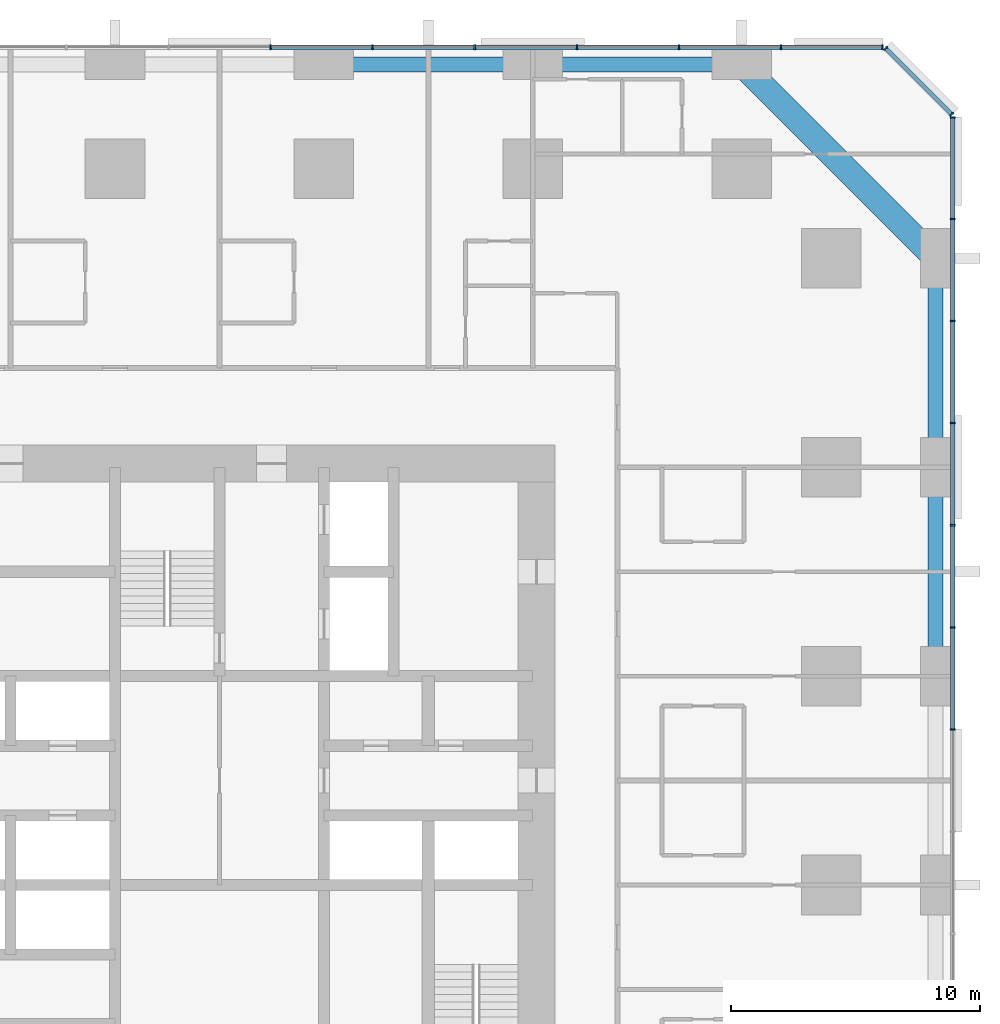
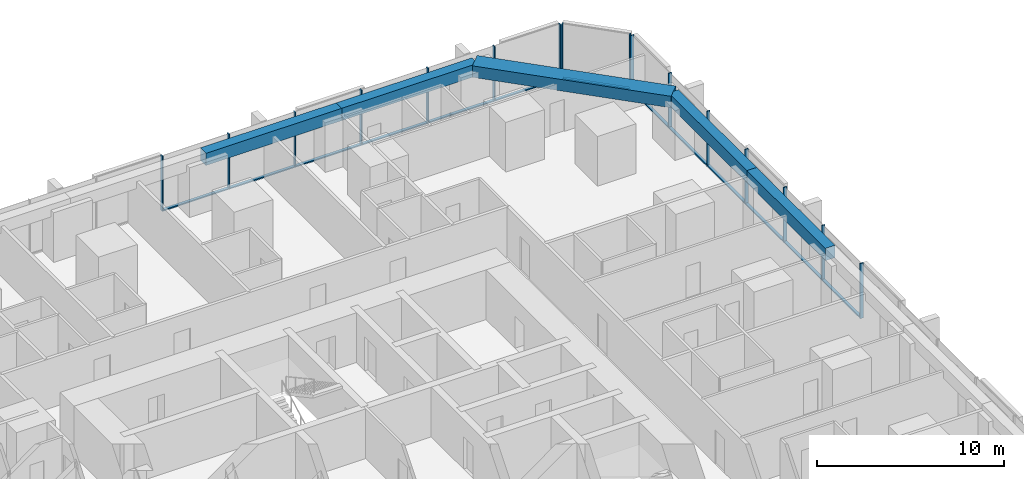
# One storey, part 8 of 17: 29 members, 5 beams, 3 elements without a shape of their own.
"""IFC4 building model written with IfcOpenShell, lengths in metres."""

from ifc_helpers import new_model, si_unit, direction, frame, origin, origin_2d, place, context, subcontext, project, spatial, rectangle, extrude, material, material_profile, profile_set, type_object, element, aggregate, save


model = new_model("IFC4")

# Units and contexts
model_context = context("Model", 3, precision=1e-05, world=origin(), true_north=direction((0.0, 1.0)))
body_context = subcontext(model_context, "Body", "Model", "MODEL_VIEW")
ifc_project = project(units=[si_unit("LENGTHUNIT", "METRE"), si_unit("AREAUNIT", "SQUARE_METRE"), si_unit("VOLUMEUNIT", "CUBIC_METRE"), si_unit("PLANEANGLEUNIT", "RADIAN"), si_unit("MASSUNIT", "GRAM", prefix="KILO")], contexts=[model_context])

# Site, building, storey
site_placement = place(None, origin())
site = spatial("IfcSite", under=ifc_project, at=site_placement, CompositionType="ELEMENT")
building_placement = place(site_placement, origin())
building = spatial("IfcBuilding", under=site, at=building_placement, Name="Dunama Terrace Hotel", CompositionType="ELEMENT")
storey_placement = place(building_placement, frame((0.0, 0.0, 81.0)))
storey = spatial("IfcBuildingStorey", under=building, at=storey_placement, Name="L20", CompositionType="ELEMENT", Elevation=81.0)

# Curtain wall, members
ifc_material_1 = material(Name="Aluminium curtain wall system", Category="aluminium")
curtain_wall_type = type_object("IfcCurtainWallType", Name="Unitised fritted glass wall CW-A", PredefinedType="NOTDEFINED", material=ifc_material_1)
curtain_wall_1_placement = place(storey_placement, origin())
curtain_wall_1 = element("IfcCurtainWall", 1, at=curtain_wall_1_placement, inside=storey, type_object=curtain_wall_type, Name="Unitised fritted glass wall CW-A L20", PredefinedType="NOTDEFINED")
ifc_material_2 = material(Name="Aluminium mullion", Category="aluminium")
ifc_material_profile_1 = material_profile(ifc_material_2, rectangle(XDim=0.06494140625, YDim=0.199951171875, at=origin_2d()), Name="CWA MULLION 65X200")
ifc_profile_set_1 = profile_set([ifc_material_profile_1], Name="Aluminium mullion")
member_type_1 = type_object("IfcMemberType", Name="CWA mullion 65x200", PredefinedType="MULLION", material=ifc_profile_set_1)
member_1_placement = place(storey_placement, frame((58.89990234375, 31.4541015625, 0.0), z_axis=(0.0, 0.0, 1.0), x_axis=(0.0, 1.0, 0.0)))
member_1 = element("IfcMember", 2, at=member_1_placement, type_object=member_type_1, Name="CWA mullion", PredefinedType="MULLION", context=body_context, shape_type="SweptSolid", body=[
    extrude(rectangle(XDim=0.06494140625, YDim=0.199951171875, at=origin_2d()), origin(), (0.0, 0.0, 1.0), 3.60009765625),
])
member_2_placement = place(storey_placement, frame((58.89990234375, 35.56201171875, 0.0), z_axis=(0.0, 0.0, 1.0), x_axis=(0.0, 1.0, 0.0)))
member_2 = element("IfcMember", 3, at=member_2_placement, type_object=member_type_1, Name="CWA mullion", PredefinedType="MULLION", context=body_context, shape_type="SweptSolid", body=[
    extrude(rectangle(XDim=0.06494140625, YDim=0.199951171875, at=origin_2d()), origin(), (0.0, 0.0, 1.0), 3.60009765625),
])
member_3_placement = place(storey_placement, frame((58.89990234375, 39.6689453125, 0.0), z_axis=(0.0, 0.0, 1.0), x_axis=(0.0, 1.0, 0.0)))
member_3 = element("IfcMember", 4, at=member_3_placement, type_object=member_type_1, Name="CWA mullion", PredefinedType="MULLION", context=body_context, shape_type="SweptSolid", body=[
    extrude(rectangle(XDim=0.06494140625, YDim=0.199951171875, at=origin_2d()), origin(), (0.0, 0.0, 1.0), 3.60009765625),
])
member_4_placement = place(storey_placement, frame((58.89990234375, 43.777099609375, 0.0), z_axis=(0.0, 0.0, 1.0), x_axis=(0.0, 1.0, 0.0)))
member_4 = element("IfcMember", 5, at=member_4_placement, type_object=member_type_1, Name="CWA mullion", PredefinedType="MULLION", context=body_context, shape_type="SweptSolid", body=[
    extrude(rectangle(XDim=0.06494140625, YDim=0.199951171875, at=origin_2d()), origin(), (0.0, 0.0, 1.0), 3.60009765625),
])
member_5_placement = place(storey_placement, frame((58.89990234375, 47.885009765625, 0.0), z_axis=(0.0, 0.0, 1.0), x_axis=(0.0, 1.0, 0.0)))
member_5 = element("IfcMember", 6, at=member_5_placement, type_object=member_type_1, Name="CWA mullion", PredefinedType="MULLION", context=body_context, shape_type="SweptSolid", body=[
    extrude(rectangle(XDim=0.06494140625, YDim=0.199951171875, at=origin_2d()), origin(), (0.0, 0.0, 1.0), 3.60009765625),
])
member_6_placement = place(storey_placement, frame((58.89990234375, 51.991943359375, 0.0), z_axis=(0.0, 0.0, 1.0), x_axis=(0.0, 1.0, 0.0)))
member_6 = element("IfcMember", 7, at=member_6_placement, type_object=member_type_1, Name="CWA mullion", PredefinedType="MULLION", context=body_context, shape_type="SweptSolid", body=[
    extrude(rectangle(XDim=0.06494140625, YDim=0.199951171875, at=origin_2d()), origin(), (0.0, 0.0, 1.0), 3.60009765625),
])
member_7_placement = place(storey_placement, frame((58.89990234375, 56.06689453125, 0.0), z_axis=(0.0, 0.0, 1.0), x_axis=(0.0, 1.0, 0.0)))
member_7 = element("IfcMember", 8, at=member_7_placement, type_object=member_type_1, Name="CWA mullion", PredefinedType="MULLION", context=body_context, shape_type="SweptSolid", body=[
    extrude(rectangle(XDim=0.06494140625, YDim=0.199951171875, at=origin_2d()), origin(), (0.0, 0.0, 1.0), 3.60009765625),
])

curtain_wall_2_placement = place(storey_placement, origin())
curtain_wall_2 = element("IfcCurtainWall", 9, at=curtain_wall_2_placement, inside=storey, type_object=curtain_wall_type, Name="Unitised fritted glass wall CW-A L20", PredefinedType="NOTDEFINED")
member_8_placement = place(storey_placement, frame((58.847900390625, 56.194091796875, 0.0), z_axis=(0.0, 0.0, 1.0), x_axis=(-0.707106781187, 0.707106781187, 0.0)))
member_8 = element("IfcMember", 10, at=member_8_placement, type_object=member_type_1, Name="CWA mullion", PredefinedType="MULLION", context=body_context, shape_type="SweptSolid", body=[
    extrude(rectangle(XDim=0.06494140625, YDim=0.199951171875, at=origin_2d()), origin(), (0.0, 0.0, 1.0), 3.60009765625),
])
member_9_placement = place(storey_placement, frame((56.194091796875, 58.847900390625, 0.0), z_axis=(0.0, 0.0, 1.0), x_axis=(-0.707106781187, 0.707106781187, 0.0)))
member_9 = element("IfcMember", 11, at=member_9_placement, type_object=member_type_1, Name="CWA mullion", PredefinedType="MULLION", context=body_context, shape_type="SweptSolid", body=[
    extrude(rectangle(XDim=0.06494140625, YDim=0.199951171875, at=origin_2d()), origin(), (0.0, 0.0, 1.0), 3.60009765625),
])

curtain_wall_3_placement = place(storey_placement, origin())
curtain_wall_3 = element("IfcCurtainWall", 12, at=curtain_wall_3_placement, inside=storey, type_object=curtain_wall_type, Name="Unitised fritted glass wall CW-A L20", PredefinedType="NOTDEFINED")
member_10_placement = place(storey_placement, frame((56.06689453125, 58.89990234375, 0.0), z_axis=(0.0, 0.0, 1.0), x_axis=(-1.0, 0.0, 0.0)))
member_10 = element("IfcMember", 13, at=member_10_placement, type_object=member_type_1, Name="CWA mullion", PredefinedType="MULLION", context=body_context, shape_type="SweptSolid", body=[
    extrude(rectangle(XDim=0.06494140625, YDim=0.199951171875, at=origin_2d()), origin(), (0.0, 0.0, 1.0), 3.60009765625),
])
member_11_placement = place(storey_placement, frame((51.991943359375, 58.89990234375, 0.0), z_axis=(0.0, 0.0, 1.0), x_axis=(-1.0, 0.0, 0.0)))
member_11 = element("IfcMember", 14, at=member_11_placement, type_object=member_type_1, Name="CWA mullion", PredefinedType="MULLION", context=body_context, shape_type="SweptSolid", body=[
    extrude(rectangle(XDim=0.06494140625, YDim=0.199951171875, at=origin_2d()), origin(), (0.0, 0.0, 1.0), 3.60009765625),
])
member_12_placement = place(storey_placement, frame((47.885009765625, 58.89990234375, 0.0), z_axis=(0.0, 0.0, 1.0), x_axis=(-1.0, 0.0, 0.0)))
member_12 = element("IfcMember", 15, at=member_12_placement, type_object=member_type_1, Name="CWA mullion", PredefinedType="MULLION", context=body_context, shape_type="SweptSolid", body=[
    extrude(rectangle(XDim=0.06494140625, YDim=0.199951171875, at=origin_2d()), origin(), (0.0, 0.0, 1.0), 3.60009765625),
])
member_13_placement = place(storey_placement, frame((43.777099609375, 58.89990234375, 0.0), z_axis=(0.0, 0.0, 1.0), x_axis=(-1.0, 0.0, 0.0)))
member_13 = element("IfcMember", 16, at=member_13_placement, type_object=member_type_1, Name="CWA mullion", PredefinedType="MULLION", context=body_context, shape_type="SweptSolid", body=[
    extrude(rectangle(XDim=0.06494140625, YDim=0.199951171875, at=origin_2d()), origin(), (0.0, 0.0, 1.0), 3.60009765625),
])
member_14_placement = place(storey_placement, frame((39.6689453125, 58.89990234375, 0.0), z_axis=(0.0, 0.0, 1.0), x_axis=(-1.0, 0.0, 0.0)))
member_14 = element("IfcMember", 17, at=member_14_placement, type_object=member_type_1, Name="CWA mullion", PredefinedType="MULLION", context=body_context, shape_type="SweptSolid", body=[
    extrude(rectangle(XDim=0.06494140625, YDim=0.199951171875, at=origin_2d()), origin(), (0.0, 0.0, 1.0), 3.60009765625),
])
member_15_placement = place(storey_placement, frame((35.56201171875, 58.89990234375, 0.0), z_axis=(0.0, 0.0, 1.0), x_axis=(-1.0, 0.0, 0.0)))
member_15 = element("IfcMember", 18, at=member_15_placement, type_object=member_type_1, Name="CWA mullion", PredefinedType="MULLION", context=body_context, shape_type="SweptSolid", body=[
    extrude(rectangle(XDim=0.06494140625, YDim=0.199951171875, at=origin_2d()), origin(), (0.0, 0.0, 1.0), 3.60009765625),
])
member_16_placement = place(storey_placement, frame((31.4541015625, 58.89990234375, 0.0), z_axis=(0.0, 0.0, 1.0), x_axis=(-1.0, 0.0, 0.0)))
member_16 = element("IfcMember", 19, at=member_16_placement, type_object=member_type_1, Name="CWA mullion", PredefinedType="MULLION", context=body_context, shape_type="SweptSolid", body=[
    extrude(rectangle(XDim=0.06494140625, YDim=0.199951171875, at=origin_2d()), origin(), (0.0, 0.0, 1.0), 3.60009765625),
])

# Member
ifc_material_3 = material(Name="Aluminium transom", Category="aluminium")
ifc_material_profile_2 = material_profile(ifc_material_3, rectangle(XDim=0.179931640625, YDim=0.074951171875, at=origin_2d()), Name="CWA TRANSOM 180X75")
ifc_profile_set_2 = profile_set([ifc_material_profile_2], Name="Aluminium transom")
member_type_2 = type_object("IfcMemberType", Name="CWA transom 180x75", PredefinedType="USERDEFINED", material=ifc_profile_set_2)
member_17_placement = place(storey_placement, frame((58.89990234375, 31.486083984375, 0.03759765625), z_axis=(0.0, 1.0, 0.0), x_axis=(-1.0, 0.0, 0.0)))
member_17 = element("IfcMember", 20, at=member_17_placement, type_object=member_type_2, Name="CWA transom", ObjectType="TRANSOM", PredefinedType="USERDEFINED", context=body_context, shape_type="SweptSolid", body=[
    extrude(rectangle(XDim=0.179931640625, YDim=0.074951171875, at=origin_2d()), origin(), (0.0, 0.0, 1.0), 4.04296875),
])

member_18_placement = place(storey_placement, frame((58.89990234375, 35.593994140625, 0.03759765625), z_axis=(0.0, 1.0, 0.0), x_axis=(-1.0, 0.0, 0.0)))
member_18 = element("IfcMember", 21, at=member_18_placement, type_object=member_type_2, Name="CWA transom", ObjectType="TRANSOM", PredefinedType="USERDEFINED", context=body_context, shape_type="SweptSolid", body=[
    extrude(rectangle(XDim=0.179931640625, YDim=0.074951171875, at=origin_2d()), origin(), (0.0, 0.0, 1.0), 4.04296875),
])

member_19_placement = place(storey_placement, frame((58.89990234375, 39.701904296875, 0.03759765625), z_axis=(0.0, 1.0, 0.0), x_axis=(-1.0, 0.0, 0.0)))
member_19 = element("IfcMember", 22, at=member_19_placement, type_object=member_type_2, Name="CWA transom", ObjectType="TRANSOM", PredefinedType="USERDEFINED", context=body_context, shape_type="SweptSolid", body=[
    extrude(rectangle(XDim=0.179931640625, YDim=0.074951171875, at=origin_2d()), origin(), (0.0, 0.0, 1.0), 4.0419921875),
])

member_20_placement = place(storey_placement, frame((58.89990234375, 43.80908203125, 0.03759765625), z_axis=(0.0, 1.0, 0.0), x_axis=(-1.0, 0.0, 0.0)))
member_20 = element("IfcMember", 23, at=member_20_placement, type_object=member_type_2, Name="CWA transom", ObjectType="TRANSOM", PredefinedType="USERDEFINED", context=body_context, shape_type="SweptSolid", body=[
    extrude(rectangle(XDim=0.179931640625, YDim=0.074951171875, at=origin_2d()), origin(), (0.0, 0.0, 1.0), 4.04296875),
])

member_21_placement = place(storey_placement, frame((58.89990234375, 47.9169921875, 0.03759765625), z_axis=(0.0, 1.0, 0.0), x_axis=(-1.0, 0.0, 0.0)))
member_21 = element("IfcMember", 24, at=member_21_placement, type_object=member_type_2, Name="CWA transom", ObjectType="TRANSOM", PredefinedType="USERDEFINED", context=body_context, shape_type="SweptSolid", body=[
    extrude(rectangle(XDim=0.179931640625, YDim=0.074951171875, at=origin_2d()), origin(), (0.0, 0.0, 1.0), 4.04296875),
])

member_22_placement = place(storey_placement, frame((58.89990234375, 52.02490234375, 0.03759765625), z_axis=(0.0, 1.0, 0.0), x_axis=(-1.0, 0.0, 0.0)))
member_22 = element("IfcMember", 25, at=member_22_placement, type_object=member_type_2, Name="CWA transom", ObjectType="TRANSOM", PredefinedType="USERDEFINED", context=body_context, shape_type="SweptSolid", body=[
    extrude(rectangle(XDim=0.179931640625, YDim=0.074951171875, at=origin_2d()), origin(), (0.0, 0.0, 1.0), 4.010009765625),
])

aggregate(curtain_wall_1, [member_1, member_2, member_3, member_4, member_5, member_6, member_7, member_17, member_18, member_19, member_20, member_21, member_22])

member_23_placement = place(storey_placement, frame((58.824951171875, 56.217041015625, 0.03759765625), z_axis=(-0.707106781187, 0.707106781187, 0.0), x_axis=(-0.707106781187, -0.707106781187, 0.0)))
member_23 = element("IfcMember", 26, at=member_23_placement, type_object=member_type_2, Name="CWA transom", ObjectType="TRANSOM", PredefinedType="USERDEFINED", context=body_context, shape_type="SweptSolid", body=[
    extrude(rectangle(XDim=0.179931640625, YDim=0.074951171875, at=origin_2d()), origin(), (0.0, 0.0, 1.0), 3.688232421875),
])

aggregate(curtain_wall_2, [member_8, member_9, member_23])

member_24_placement = place(storey_placement, frame((56.034912109375, 58.89990234375, 0.03759765625), z_axis=(-1.0, 0.0, 0.0), x_axis=(0.0, -1.0, 0.0)))
member_24 = element("IfcMember", 27, at=member_24_placement, type_object=member_type_2, Name="CWA transom", ObjectType="TRANSOM", PredefinedType="USERDEFINED", context=body_context, shape_type="SweptSolid", body=[
    extrude(rectangle(XDim=0.179931640625, YDim=0.074951171875, at=origin_2d()), origin(), (0.0, 0.0, 1.0), 4.010009765625),
])

member_25_placement = place(storey_placement, frame((51.9599609375, 58.89990234375, 0.03759765625), z_axis=(-1.0, 0.0, 0.0), x_axis=(0.0, -1.0, 0.0)))
member_25 = element("IfcMember", 28, at=member_25_placement, type_object=member_type_2, Name="CWA transom", ObjectType="TRANSOM", PredefinedType="USERDEFINED", context=body_context, shape_type="SweptSolid", body=[
    extrude(rectangle(XDim=0.179931640625, YDim=0.074951171875, at=origin_2d()), origin(), (0.0, 0.0, 1.0), 4.04296875),
])

member_26_placement = place(storey_placement, frame((47.85205078125, 58.89990234375, 0.03759765625), z_axis=(-1.0, 0.0, 0.0), x_axis=(0.0, -1.0, 0.0)))
member_26 = element("IfcMember", 29, at=member_26_placement, type_object=member_type_2, Name="CWA transom", ObjectType="TRANSOM", PredefinedType="USERDEFINED", context=body_context, shape_type="SweptSolid", body=[
    extrude(rectangle(XDim=0.179931640625, YDim=0.074951171875, at=origin_2d()), origin(), (0.0, 0.0, 1.0), 4.04296875),
])

member_27_placement = place(storey_placement, frame((43.743896484375, 58.89990234375, 0.03759765625), z_axis=(-1.0, 0.0, 0.0), x_axis=(0.0, -1.0, 0.0)))
member_27 = element("IfcMember", 30, at=member_27_placement, type_object=member_type_2, Name="CWA transom", ObjectType="TRANSOM", PredefinedType="USERDEFINED", context=body_context, shape_type="SweptSolid", body=[
    extrude(rectangle(XDim=0.179931640625, YDim=0.074951171875, at=origin_2d()), origin(), (0.0, 0.0, 1.0), 4.0419921875),
])

member_28_placement = place(storey_placement, frame((39.636962890625, 58.89990234375, 0.03759765625), z_axis=(-1.0, 0.0, 0.0), x_axis=(0.0, -1.0, 0.0)))
member_28 = element("IfcMember", 31, at=member_28_placement, type_object=member_type_2, Name="CWA transom", ObjectType="TRANSOM", PredefinedType="USERDEFINED", context=body_context, shape_type="SweptSolid", body=[
    extrude(rectangle(XDim=0.179931640625, YDim=0.074951171875, at=origin_2d()), origin(), (0.0, 0.0, 1.0), 4.04296875),
])

member_29_placement = place(storey_placement, frame((35.529052734375, 58.89990234375, 0.03759765625), z_axis=(-1.0, 0.0, 0.0), x_axis=(0.0, -1.0, 0.0)))
member_29 = element("IfcMember", 32, at=member_29_placement, type_object=member_type_2, Name="CWA transom", ObjectType="TRANSOM", PredefinedType="USERDEFINED", context=body_context, shape_type="SweptSolid", body=[
    extrude(rectangle(XDim=0.179931640625, YDim=0.074951171875, at=origin_2d()), origin(), (0.0, 0.0, 1.0), 4.04296875),
])

aggregate(curtain_wall_3, [member_10, member_11, member_12, member_13, member_14, member_15, member_16, member_24, member_25, member_26, member_27, member_28, member_29])

# Beams
ifc_material_4 = material(Name="Concrete C50/60", Category="concrete")
ifc_material_profile_3 = material_profile(ifc_material_4, rectangle(XDim=1.0, YDim=0.75, at=origin_2d()), Name="RC 1000x750")
ifc_profile_set_3 = profile_set([ifc_material_profile_3], Name="Concrete C50/60")
beam_type_1 = type_object("IfcBeamType", Name="Edge beam RC 1000x750", PredefinedType="SPANDREL", material=ifc_profile_set_3)
beam_placement = place(storey_placement, frame((50.39990234375, 58.199951171875, 3.22509765625), z_axis=(0.707106781187, -0.707106781187, 0.0), x_axis=(0.707106781187, 0.707106781187, 0.0)))
element("IfcBeam", 33, at=beam_placement, inside=storey, type_object=beam_type_1, Name="Corner edge beam under L21", PredefinedType="SPANDREL", context=body_context, shape_type="SweptSolid", body=[
    extrude(rectangle(XDim=1.0, YDim=0.75, at=origin_2d()), origin(), (0.0, 0.0, 1.0), 11.031005859375),
])
ifc_material_5 = material(Name="Concrete C40/50", Category="concrete")
ifc_material_profile_4 = material_profile(ifc_material_5, rectangle(XDim=0.60009765625, YDim=0.800048828125, at=origin_2d()), Name="RC 600x800")
ifc_profile_set_4 = profile_set([ifc_material_profile_4], Name="Concrete C40/50")
beam_type_2 = type_object("IfcBeamType", Name="Edge beam RC 600x800", PredefinedType="SPANDREL", material=ifc_profile_set_4)
for number, where, z_axis, x_axis, name in (
    (34, (58.199951171875, 33.60009765625, 3.199951171875), (0.0, 1.0, 0.0), (-1.0, 0.0, 0.0), "Edge beam under L21"),
    (35, (58.199951171875, 42.0, 3.199951171875), (0.0, 1.0, 0.0), (-1.0, 0.0, 0.0), "Edge beam under L21"),
    (36, (33.60009765625, 58.199951171875, 3.199951171875), (1.0, 0.0, 0.0), (0.0, 1.0, 0.0), "Edge beam under L21"),
    (37, (42.0, 58.199951171875, 3.199951171875), (1.0, 0.0, 0.0), (0.0, 1.0, 0.0), "Edge beam under L21"),
):
    element("IfcBeam", number, at=place(storey_placement, frame(where, z_axis=z_axis, x_axis=x_axis)), inside=storey, type_object=beam_type_2, Name=name, PredefinedType="SPANDREL", context=body_context, shape_type="SweptSolid", body=[
        extrude(rectangle(XDim=0.60009765625, YDim=0.800048828125, at=origin_2d()), origin(), (0.0, 0.0, 1.0), 8.39990234375),
    ])

save(model, "model.ifc")
